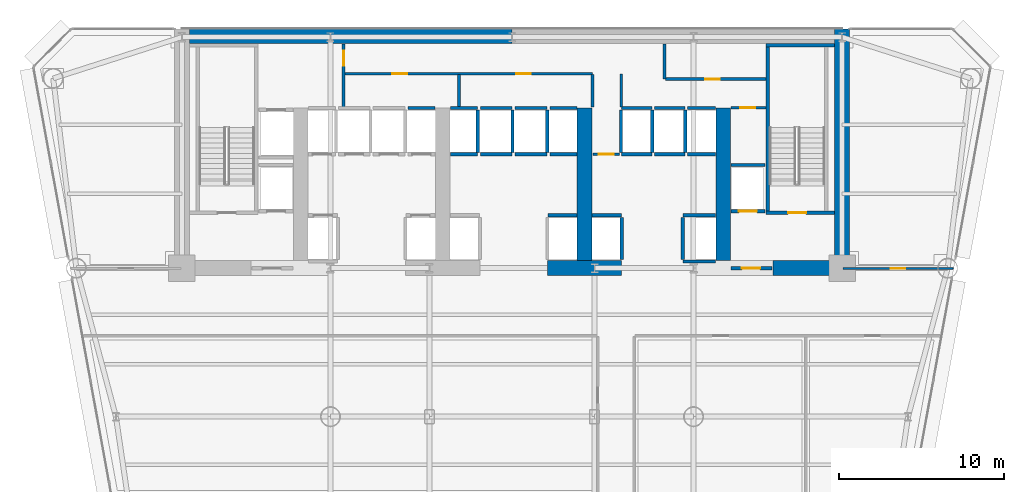
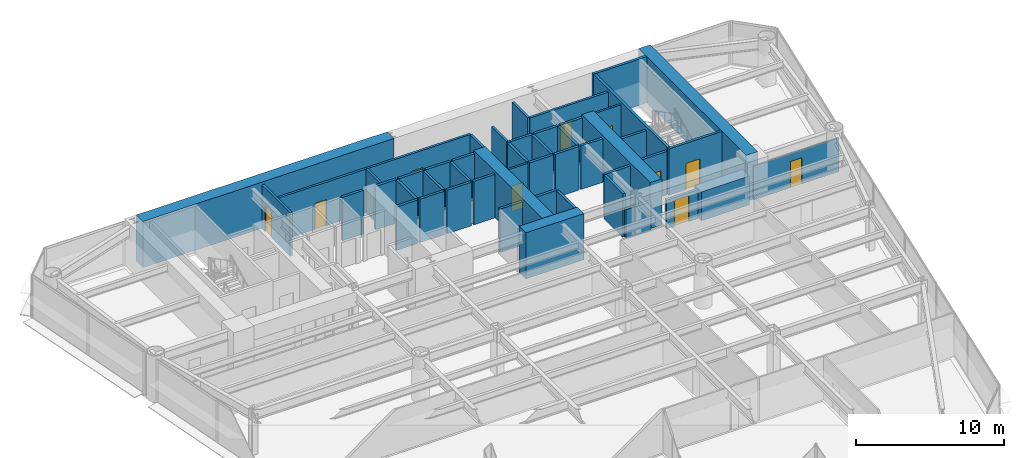
# One storey, part 9 of 14: 49 walls, 10 doors, 10 openings.
"""IFC4 building model written with IfcOpenShell, lengths in metres."""

from ifc_helpers import new_model, si_unit, direction, frame, frame_2d, origin, place, context, subcontext, project, spatial, rectangle, extrude, source, transform, mapped, material, layer, layer_set, type_object, element, fill, save


model = new_model("IFC4")

# Units and contexts
model_context = context("Model", 3, precision=1e-05, world=origin(), true_north=direction((0.0, 1.0)))
body_context = subcontext(model_context, "Body", "Model", "MODEL_VIEW")
ifc_project = project(units=[si_unit("LENGTHUNIT", "METRE"), si_unit("AREAUNIT", "SQUARE_METRE"), si_unit("VOLUMEUNIT", "CUBIC_METRE"), si_unit("PLANEANGLEUNIT", "RADIAN"), si_unit("MASSUNIT", "GRAM", prefix="KILO")], contexts=[model_context])

# Site, building, storey
site_placement = place(None, origin())
site = spatial("IfcSite", under=ifc_project, at=site_placement, CompositionType="ELEMENT")
building_placement = place(site_placement, origin())
building = spatial("IfcBuilding", under=site, at=building_placement, Name="Vaeldorn Concourse Tower", CompositionType="ELEMENT")
storey_placement = place(building_placement, frame((0.0, 0.0, 60.60009765625)))
storey = spatial("IfcBuildingStorey", under=building, at=storey_placement, Name="L15", CompositionType="ELEMENT", Elevation=60.60009765625)

# Walls
ifc_material_1 = material(Name="Concrete C60/75", Category="concrete")
ifc_layer_1 = layer(ifc_material_1, 0.89990234375)
ifc_layer_set_1 = layer_set([ifc_layer_1], Name="Concrete C60/75")
wall_type_1 = type_object("IfcWallType", Name="WL-CORE-900", PredefinedType="SHEAR", material=ifc_layer_set_1)
wall_1_placement = place(storey_placement, frame((14.4541015625, 50.550048828125, 0.0), z_axis=(0.0, 0.0, 1.0), x_axis=(1.0, 0.0, 0.0)))
element("IfcWall", 1, at=wall_1_placement, inside=storey, type_object=wall_type_1, Name="Rear Core Shear Wall L15 N1", PredefinedType="SHEAR", context=body_context, shape_type="SweptSolid", body=[
    extrude(rectangle(XDim=19.5439453125, YDim=0.89990234375, at=frame_2d((9.77197265625, 0.0))), origin(), (0.0, 0.0, 1.0), 3.7998046875),
])
wall_2_placement = place(storey_placement, frame((54.0, 36.5, 0.0), z_axis=(0.0, 0.0, 1.0), x_axis=(0.0, 1.0, 0.0)))
element("IfcWall", 2, at=wall_2_placement, inside=storey, type_object=wall_type_1, Name="Rear Core Shear Wall L15 E1", PredefinedType="SHEAR", context=body_context, shape_type="SweptSolid", body=[
    extrude(rectangle(XDim=14.5, YDim=0.89990234375, at=frame_2d((7.25, 0.0))), origin(), (0.0, 0.0, 1.0), 3.7998046875),
])
wall_3_placement = place(storey_placement, frame((36.14990234375, 36.5, 0.0), z_axis=(0.0, 0.0, 1.0), x_axis=(1.0, 0.0, 0.0)))
element("IfcWall", 3, at=wall_3_placement, inside=storey, type_object=wall_type_1, Name="Rear Core Shear Wall L15 S3", PredefinedType="SHEAR", context=body_context, shape_type="SweptSolid", body=[
    extrude(rectangle(XDim=4.5, YDim=0.89990234375, at=frame_2d((2.25, 0.0))), origin(), (0.0, 0.0, 1.0), 3.7998046875),
])
wall_4_placement = place(storey_placement, frame((49.800048828125, 36.5, 0.0), z_axis=(0.0, 0.0, 1.0), x_axis=(1.0, 0.0, 0.0)))
element("IfcWall", 4, at=wall_4_placement, inside=storey, type_object=wall_type_1, Name="Rear Core Shear Wall L15 S4", PredefinedType="SHEAR", context=body_context, shape_type="SweptSolid", body=[
    extrude(rectangle(XDim=3.72998046875, YDim=0.89990234375, at=frame_2d((1.864990234375, 0.0))), origin(), (0.0, 0.0, 1.0), 2.3798828125),
])
for number, where, z_axis, x_axis, name in (
    (5, (38.39990234375, 36.969970703125, 0.0), (0.0, 0.0, 1.0), (0.0, 1.0, 0.0), "Rear Core Shear Wall L15 M3"),
    (6, (46.800048828125, 36.969970703125, 0.0), (0.0, 0.0, 1.0), (0.0, 1.0, 0.0), "Rear Core Shear Wall L15 M4"),
):
    element("IfcWall", number, at=place(storey_placement, frame(where, z_axis=z_axis, x_axis=x_axis)), inside=storey, type_object=wall_type_1, Name=name, PredefinedType="SHEAR", context=body_context, shape_type="SweptSolid", body=[
        extrude(rectangle(XDim=9.22998046875, YDim=0.89990234375, at=frame_2d((4.614990234375, 0.0))), origin(), (0.0, 0.0, 1.0), 3.7998046875),
    ])

# Wall, opening, door
ifc_material_2 = material(Name="Gypsum Board Partition", Category="gypsum")
ifc_layer_2 = layer(ifc_material_2, 0.1201171875)
ifc_layer_set_2 = layer_set([ifc_layer_2], Name="Gypsum Board Partition")
wall_type_2 = type_object("IfcWallType", Name="WL-PART-120", PredefinedType="PARTITIONING", material=ifc_layer_set_2)
wall_5_placement = place(storey_placement, frame((54.06005859375, 36.47998046875, 0.0), z_axis=(0.0, 0.0, 1.0), x_axis=(1.0, 0.0, 0.0)))
wall_5 = element("IfcWall", 7, at=wall_5_placement, inside=storey, type_object=wall_type_2, Name="Interior Wall PW-L15-NES", PredefinedType="PARTITIONING", context=body_context, shape_type="SweptSolid", body=[
    extrude(rectangle(XDim=6.666259765625, YDim=0.1201171875, at=frame_2d((3.3330078125, 0.0))), origin(), (0.0, 0.0, 1.0), 2.77001953125),
])
opening_1_placement = place(wall_5_placement, frame((2.883056640625, 0.0, 0.0)))
opening_1 = element("IfcOpeningElement", 8, at=opening_1_placement, cuts=wall_5, Name="Opening D-03", PredefinedType="OPENING", context=body_context, shape_type="SweptSolid", body=[
    extrude(rectangle(XDim=0.89990234375, YDim=2.14990234375, at=frame_2d((0.449951171875, 1.074951171875))), frame((0.0, 0.070068359375, 0.0), z_axis=(0.0, -1.0, 0.0), x_axis=(1.0, 0.0, 0.0)), (0.0, 0.0, 1.0), 0.14013671875),
])
ifc_material_3 = material(Name="Acoustic Bronze-Framed Glass Door", Category="glass")
door_type_1 = type_object("IfcDoorType", Name="DR-INT-900", OperationType="NOTDEFINED", PredefinedType="DOOR", material=ifc_material_3)
shared_shape_1 = source(origin(), body_context, "Body", "SweptSolid", [
    extrude(rectangle(XDim=0.89990234375, YDim=2.14990234375, at=frame_2d((0.449951171875, 1.074951171875))), frame((0.0, 0.02490234375, 0.0), z_axis=(0.0, -1.0, 0.0), x_axis=(1.0, 0.0, 0.0)), (0.0, 0.0, 1.0), 0.050048828125),
])
door_1_placement = place(opening_1_placement, origin())
door_1 = element("IfcDoor", 9, at=door_1_placement, inside=storey, type_object=door_type_1, Name="Interior Door DR-L15-NEC", OperationType="SINGLE_SWING_RIGHT", OverallHeight=2.14990234375, OverallWidth=0.89990234375, PredefinedType="DOOR", context=body_context, shape_type="MappedRepresentation", body=[
    mapped(shared_shape_1, transform((0.0, 0.0, 0.0), scale=1.0)),
])
fill(opening_1, door_1)

ifc_layer_3 = layer(ifc_material_2, 0.14990234375)
ifc_layer_set_3 = layer_set([ifc_layer_3], Name="Gypsum Board Partition")
wall_type_3 = type_object("IfcWallType", Name="WL-PART-150", PredefinedType="PARTITIONING", material=ifc_layer_set_3)
wall_6_placement = place(storey_placement, frame((47.280029296875, 46.219970703125, 0.0), z_axis=(0.0, 0.0, 1.0), x_axis=(1.0, 0.0, 0.0)))
wall_6 = element("IfcWall", 10, at=wall_6_placement, inside=storey, type_object=wall_type_3, Name="Interior Wall CW-L15-CRSE-N", PredefinedType="PARTITIONING", context=body_context, shape_type="SweptSolid", body=[
    extrude(rectangle(XDim=2.099853515625, YDim=0.14990234375, at=frame_2d((1.0498046875, 0.0))), origin(), (0.0, 0.0, 1.0), 3.579833984375),
])
opening_2_placement = place(wall_6_placement, frame((0.550048828125, 0.0, 0.0)))
opening_2 = element("IfcOpeningElement", 11, at=opening_2_placement, cuts=wall_6, Name="Opening D-02", PredefinedType="OPENING", context=body_context, shape_type="SweptSolid", body=[
    extrude(rectangle(XDim=0.89990234375, YDim=2.10009765625, at=frame_2d((0.449951171875, 1.050048828125))), frame((0.0, 0.0849609375, 0.0), z_axis=(0.0, -1.0, 0.0), x_axis=(1.0, 0.0, 0.0)), (0.0, 0.0, 1.0), 0.169921875),
])
ifc_material_4 = material(Name="Fire-Rated Timber Leaf", Category="wood")
door_type_2 = type_object("IfcDoorType", Name="DR-FD30-900", OperationType="NOTDEFINED", PredefinedType="DOOR", material=ifc_material_4)
shared_shape_2 = source(origin(), body_context, "Body", "SweptSolid", [
    extrude(rectangle(XDim=0.89990234375, YDim=2.10009765625, at=frame_2d((0.449951171875, 1.050048828125))), frame((0.0, 0.02490234375, 0.0), z_axis=(0.0, -1.0, 0.0), x_axis=(1.0, 0.0, 0.0)), (0.0, 0.0, 1.0), 0.050048828125),
])
door_2_placement = place(opening_2_placement, origin())
door_2 = element("IfcDoor", 12, at=door_2_placement, inside=storey, type_object=door_type_2, Name="Interior Door DR-L15-CRSE", OperationType="SINGLE_SWING_RIGHT", OverallHeight=2.10009765625, OverallWidth=0.89990234375, PredefinedType="DOOR", context=body_context, shape_type="MappedRepresentation", body=[
    mapped(shared_shape_2, transform((0.0, 0.0, 0.0), scale=1.0)),
])
fill(opening_2, door_2)

wall_7_placement = place(storey_placement, frame((38.919921875, 43.39990234375, 0.0), z_axis=(0.0, 0.0, 1.0), x_axis=(1.0, 0.0, 0.0)))
wall_7 = element("IfcWall", 13, at=wall_7_placement, inside=storey, type_object=wall_type_3, Name="Interior Wall CW-L15-CCLINK", PredefinedType="PARTITIONING", context=body_context, shape_type="SweptSolid", body=[
    extrude(rectangle(XDim=1.60009765625, YDim=0.14990234375, at=frame_2d((0.800048828125, 0.0))), origin(), (0.0, 0.0, 1.0), 3.579833984375),
])
opening_3_placement = place(wall_7_placement, frame((0.35009765625, 0.0, 0.0)))
opening_3 = element("IfcOpeningElement", 14, at=opening_3_placement, cuts=wall_7, Name="Opening D-02", PredefinedType="OPENING", context=body_context, shape_type="SweptSolid", body=[
    extrude(rectangle(XDim=0.89990234375, YDim=2.10009765625, at=frame_2d((0.449951171875, 1.050048828125))), frame((0.0, 0.0849609375, 0.0), z_axis=(0.0, -1.0, 0.0), x_axis=(1.0, 0.0, 0.0)), (0.0, 0.0, 1.0), 0.169921875),
])
door_3_placement = place(opening_3_placement, origin())
door_3 = element("IfcDoor", 15, at=door_3_placement, inside=storey, type_object=door_type_2, Name="Interior Door DR-L15-CCLINK", OperationType="SINGLE_SWING_LEFT", OverallHeight=2.10009765625, OverallWidth=0.89990234375, PredefinedType="DOOR", context=body_context, shape_type="MappedRepresentation", body=[
    mapped(shared_shape_2, transform((0.0, 0.0, 0.0), scale=1.0)),
])
fill(opening_3, door_3)

# Wall, openings, doors
ifc_layer_4 = layer(ifc_material_2, 0.179931640625)
ifc_layer_set_4 = layer_set([ifc_layer_4], Name="Gypsum Board Partition")
wall_type_4 = type_object("IfcWallType", Name="WL-PLUMB-180", PredefinedType="PLUMBINGWALL", material=ifc_layer_set_4)
wall_8_placement = place(storey_placement, frame((23.85009765625, 48.280029296875, 0.0), z_axis=(0.0, 0.0, 1.0), x_axis=(1.0, 0.0, 0.0)))
wall_8 = element("IfcWall", 16, at=wall_8_placement, inside=storey, type_object=wall_type_4, Name="Interior Wall CW-L15-NS2W", PredefinedType="PLUMBINGWALL", context=body_context, shape_type="SweptSolid", body=[
    extrude(rectangle(XDim=15.02978515625, YDim=0.179931640625, at=frame_2d((7.514892578125, 0.0))), origin(), (0.0, 0.0, 1.0), 3.579833984375),
])
opening_4_placement = place(wall_8_placement, frame((2.89990234375, 0.0, 0.0)))
opening_4 = element("IfcOpeningElement", 17, at=opening_4_placement, cuts=wall_8, Name="Opening D-03", PredefinedType="OPENING", context=body_context, shape_type="SweptSolid", body=[
    extrude(rectangle(XDim=0.89990234375, YDim=2.14990234375, at=frame_2d((0.449951171875, 1.074951171875))), frame((0.0, 0.10009765625, 0.0), z_axis=(0.0, -1.0, 0.0), x_axis=(1.0, 0.0, 0.0)), (0.0, 0.0, 1.0), 0.199951171875),
])
opening_5_placement = place(wall_8_placement, frame((10.39990234375, 0.0, 0.0)))
opening_5 = element("IfcOpeningElement", 18, at=opening_5_placement, cuts=wall_8, Name="Opening D-03", PredefinedType="OPENING", context=body_context, shape_type="SweptSolid", body=[
    extrude(rectangle(XDim=0.89990234375, YDim=2.14990234375, at=frame_2d((0.449951171875, 1.074951171875))), frame((0.0, 0.10009765625, 0.0), z_axis=(0.0, -1.0, 0.0), x_axis=(1.0, 0.0, 0.0)), (0.0, 0.0, 1.0), 0.199951171875),
])
door_4_placement = place(opening_4_placement, origin())
door_4 = element("IfcDoor", 19, at=door_4_placement, inside=storey, type_object=door_type_1, Name="Interior Door DR-L15-CS2", OperationType="SINGLE_SWING_RIGHT", OverallHeight=2.14990234375, OverallWidth=0.89990234375, PredefinedType="DOOR", context=body_context, shape_type="MappedRepresentation", body=[
    mapped(shared_shape_1, transform((0.0, 0.0, 0.0), scale=1.0)),
])
fill(opening_4, door_4)
door_5_placement = place(opening_5_placement, origin())
door_5 = element("IfcDoor", 20, at=door_5_placement, inside=storey, type_object=door_type_1, Name="Interior Door DR-L15-CS3", OperationType="SINGLE_SWING_LEFT", OverallHeight=2.14990234375, OverallWidth=0.89990234375, PredefinedType="DOOR", context=body_context, shape_type="MappedRepresentation", body=[
    mapped(shared_shape_1, transform((0.0, 0.0, 0.0), scale=1.0)),
])
fill(opening_5, door_5)

# Wall, opening, door
wall_9_placement = place(storey_placement, frame((23.800048828125, 46.280029296875, 0.0), z_axis=(0.0, 0.0, 1.0), x_axis=(0.0, 1.0, 0.0)))
wall_9 = element("IfcWall", 21, at=wall_9_placement, inside=storey, type_object=wall_type_4, Name="Interior Wall CW-L15-SDIV1", PredefinedType="PLUMBINGWALL", context=body_context, shape_type="SweptSolid", body=[
    extrude(rectangle(XDim=3.800048828125, YDim=0.179931640625, at=frame_2d((1.89990234375, 0.0))), origin(), (0.0, 0.0, 1.0), 3.579833984375),
])
opening_6_placement = place(wall_9_placement, frame((2.485107421875, 0.0, 0.0)))
opening_6 = element("IfcOpeningElement", 22, at=opening_6_placement, cuts=wall_9, Name="Opening D-03", PredefinedType="OPENING", context=body_context, shape_type="SweptSolid", body=[
    extrude(rectangle(XDim=0.89990234375, YDim=2.14990234375, at=frame_2d((0.449951171875, 1.074951171875))), frame((0.0, 0.10009765625, 0.0), z_axis=(0.0, -1.0, 0.0), x_axis=(1.0, 0.0, 0.0)), (0.0, 0.0, 1.0), 0.199951171875),
])
door_6_placement = place(opening_6_placement, origin())
door_6 = element("IfcDoor", 23, at=door_6_placement, inside=storey, type_object=door_type_1, Name="Interior Door DR-L15-CS1", OperationType="SINGLE_SWING_LEFT", OverallHeight=2.14990234375, OverallWidth=0.89990234375, PredefinedType="DOOR", context=body_context, shape_type="MappedRepresentation", body=[
    mapped(shared_shape_1, transform((0.0, 0.0, 0.0), scale=1.0)),
])
fill(opening_6, door_6)

# Walls
for number, where, z_axis, x_axis, name in (
    (24, (30.800048828125, 46.280029296875, 0.0), (0.0, 0.0, 1.0), (0.0, 1.0, 0.0), "Interior Wall CW-L15-SDIV2"),
    (25, (38.8798828125, 46.280029296875, 0.0), (0.0, 0.0, 1.0), (0.0, 1.0, 0.0), "Interior Wall CW-L15-SDIV4"),
):
    element("IfcWall", number, at=place(storey_placement, frame(where, z_axis=z_axis, x_axis=x_axis)), inside=storey, type_object=wall_type_4, Name=name, PredefinedType="PLUMBINGWALL", context=body_context, shape_type="SweptSolid", body=[
        extrude(rectangle(XDim=1.93994140625, YDim=0.179931640625, at=frame_2d((0.969970703125, 0.0))), origin(), (0.0, 0.0, 1.0), 3.579833984375),
    ])
wall_10_placement = place(storey_placement, frame((40.6201171875, 46.280029296875, 0.0), z_axis=(0.0, 0.0, 1.0), x_axis=(0.0, 1.0, 0.0)))
element("IfcWall", 26, at=wall_10_placement, inside=storey, type_object=wall_type_4, Name="Interior Wall CW-L15-SDIV5", PredefinedType="PLUMBINGWALL", context=body_context, shape_type="SweptSolid", body=[
    extrude(rectangle(XDim=2.0, YDim=0.179931640625, at=frame_2d((1.0, 0.0))), origin(), (0.0, 0.0, 1.0), 3.579833984375),
])
wall_11_placement = place(storey_placement, frame((43.25, 47.949951171875, 0.0), z_axis=(0.0, 0.0, 1.0), x_axis=(0.0, 1.0, 0.0)))
element("IfcWall", 27, at=wall_11_placement, inside=storey, type_object=wall_type_4, Name="Interior Wall CW-L15-SDIV6", PredefinedType="PLUMBINGWALL", context=body_context, shape_type="SweptSolid", body=[
    extrude(rectangle(XDim=2.130126953125, YDim=0.179931640625, at=frame_2d((1.06494140625, 0.0))), origin(), (0.0, 0.0, 1.0), 3.579833984375),
])

# Wall, opening, door
wall_12_placement = place(storey_placement, frame((43.300048828125, 47.949951171875, 0.0), z_axis=(0.0, 0.0, 1.0), x_axis=(1.0, 0.0, 0.0)))
wall_12 = element("IfcWall", 28, at=wall_12_placement, inside=storey, type_object=wall_type_4, Name="Interior Wall CW-L15-NS2EE", PredefinedType="PLUMBINGWALL", context=body_context, shape_type="SweptSolid", body=[
    extrude(rectangle(XDim=6.079833984375, YDim=0.179931640625, at=frame_2d((3.0400390625, 0.0))), origin(), (0.0, 0.0, 1.0), 3.579833984375),
])
opening_7_placement = place(wall_12_placement, frame((2.39990234375, 0.0, 0.0)))
opening_7 = element("IfcOpeningElement", 29, at=opening_7_placement, cuts=wall_12, Name="Opening D-03", PredefinedType="OPENING", context=body_context, shape_type="SweptSolid", body=[
    extrude(rectangle(XDim=0.89990234375, YDim=2.14990234375, at=frame_2d((0.449951171875, 1.074951171875))), frame((0.0, 0.10009765625, 0.0), z_axis=(0.0, -1.0, 0.0), x_axis=(1.0, 0.0, 0.0)), (0.0, 0.0, 1.0), 0.199951171875),
])
door_7_placement = place(opening_7_placement, origin())
door_7 = element("IfcDoor", 30, at=door_7_placement, inside=storey, type_object=door_type_1, Name="Interior Door DR-L15-CS5", OperationType="SINGLE_SWING_RIGHT", OverallHeight=2.14990234375, OverallWidth=0.89990234375, PredefinedType="DOOR", context=body_context, shape_type="MappedRepresentation", body=[
    mapped(shared_shape_1, transform((0.0, 0.0, 0.0), scale=1.0)),
])
fill(opening_7, door_7)

ifc_material_5 = material(Name="Concrete C50/60", Category="concrete")
ifc_layer_5 = layer(ifc_material_5, 0.199951171875)
ifc_layer_set_5 = layer_set([ifc_layer_5], Name="Concrete C50/60")
wall_type_5 = type_object("IfcWallType", Name="WL-SHAFT-200", PredefinedType="SOLIDWALL", material=ifc_layer_set_5)
wall_13_placement = place(storey_placement, frame((49.39990234375, 39.85009765625, 0.0), z_axis=(0.0, 0.0, 1.0), x_axis=(1.0, 0.0, 0.0)))
wall_13 = element("IfcWall", 31, at=wall_13_placement, inside=storey, type_object=wall_type_5, Name="Stair Shaft Wall CW-L15-ST-2-S", PredefinedType="SOLIDWALL", context=body_context, shape_type="SweptSolid", body=[
    extrude(rectangle(XDim=4.150146484375, YDim=0.199951171875, at=frame_2d((2.0751953125, 0.0))), origin(), (0.0, 0.0, 1.0), 3.7998046875),
])
opening_8_placement = place(wall_13_placement, frame((1.324951171875, 0.0, 0.0)))
opening_8 = element("IfcOpeningElement", 32, at=opening_8_placement, cuts=wall_13, Name="Opening D-01", PredefinedType="OPENING", context=body_context, shape_type="SweptSolid", body=[
    extrude(rectangle(XDim=1.10009765625, YDim=2.14990234375, at=frame_2d((0.550048828125, 1.074951171875))), frame((0.0, 0.10986328125, 0.0), z_axis=(0.0, -1.0, 0.0), x_axis=(1.0, 0.0, 0.0)), (0.0, 0.0, 1.0), 0.219970703125),
])
ifc_material_6 = material(Name="Fire-Rated Timber and Steel Leaf", Category="steel")
door_type_3 = type_object("IfcDoorType", Name="DR-FD60-1100", OperationType="NOTDEFINED", PredefinedType="DOOR", material=ifc_material_6)
shared_shape_3 = source(origin(), body_context, "Body", "SweptSolid", [
    extrude(rectangle(XDim=1.10009765625, YDim=2.14990234375, at=frame_2d((0.550048828125, 1.074951171875))), frame((0.0, 0.02490234375, 0.0), z_axis=(0.0, -1.0, 0.0), x_axis=(1.0, 0.0, 0.0)), (0.0, 0.0, 1.0), 0.050048828125),
])
door_8_placement = place(opening_8_placement, origin())
door_8 = element("IfcDoor", 33, at=door_8_placement, inside=storey, type_object=door_type_3, Name="Interior Door DR-L15-ST-2", OperationType="SINGLE_SWING_RIGHT", OverallHeight=2.14990234375, OverallWidth=1.10009765625, PredefinedType="DOOR", context=body_context, shape_type="MappedRepresentation", body=[
    mapped(shared_shape_3, transform((0.0, 0.0, 0.0), scale=1.0)),
])
fill(opening_8, door_8)

# Walls
wall_14_placement = place(storey_placement, frame((49.39990234375, 50.0, 0.0), z_axis=(0.0, 0.0, 1.0), x_axis=(1.0, 0.0, 0.0)))
element("IfcWall", 34, at=wall_14_placement, inside=storey, type_object=wall_type_5, Name="Stair Shaft Wall CW-L15-ST-2-N", PredefinedType="SOLIDWALL", context=body_context, shape_type="SweptSolid", body=[
    extrude(rectangle(XDim=4.150146484375, YDim=0.199951171875, at=frame_2d((2.0751953125, 0.0))), origin(), (0.0, 0.0, 1.0), 3.7998046875),
])
wall_15_placement = place(storey_placement, frame((49.5, 39.9599609375, 0.0), z_axis=(0.0, 0.0, 1.0), x_axis=(0.0, 1.0, 0.0)))
element("IfcWall", 35, at=wall_15_placement, inside=storey, type_object=wall_type_5, Name="Stair Shaft Wall CW-L15-ST-2-W", PredefinedType="SOLIDWALL", context=body_context, shape_type="SweptSolid", body=[
    extrude(rectangle(XDim=9.929931640625, YDim=0.199951171875, at=frame_2d((4.96484375, 0.0))), origin(), (0.0, 0.0, 1.0), 3.7998046875),
])

# Wall, opening, door
wall_16_placement = place(storey_placement, frame((47.280029296875, 36.5, 0.0), z_axis=(0.0, 0.0, 1.0), x_axis=(1.0, 0.0, 0.0)))
wall_16 = element("IfcWall", 36, at=wall_16_placement, inside=storey, type_object=wall_type_5, Name="Interior Wall CW-L15-FF2S", PredefinedType="SOLIDWALL", context=body_context, shape_type="SweptSolid", body=[
    extrude(rectangle(XDim=2.469970703125, YDim=0.199951171875, at=frame_2d((1.23486328125, 0.0))), origin(), (0.0, 0.0, 1.0), 2.369873046875),
])
opening_9_placement = place(wall_16_placement, frame((0.64990234375, 0.0, 0.0)))
opening_9 = element("IfcOpeningElement", 37, at=opening_9_placement, cuts=wall_16, Name="Opening D-01", PredefinedType="OPENING", context=body_context, shape_type="SweptSolid", body=[
    extrude(rectangle(XDim=1.10009765625, YDim=2.14990234375, at=frame_2d((0.550048828125, 1.074951171875))), frame((0.0, 0.10986328125, 0.0), z_axis=(0.0, -1.0, 0.0), x_axis=(1.0, 0.0, 0.0)), (0.0, 0.0, 1.0), 0.219970703125),
])
door_9_placement = place(opening_9_placement, origin())
door_9 = element("IfcDoor", 38, at=door_9_placement, inside=storey, type_object=door_type_3, Name="Interior Door DR-L15-FF2W", OperationType="SINGLE_SWING_LEFT", OverallHeight=2.14990234375, OverallWidth=1.10009765625, PredefinedType="DOOR", context=body_context, shape_type="MappedRepresentation", body=[
    mapped(shared_shape_3, transform((0.0, 0.0, 0.0), scale=1.0)),
])
fill(opening_9, door_9)

# Walls
wall_17_placement = place(storey_placement, frame((27.68994140625, 46.199951171875, 0.0), z_axis=(0.0, 0.0, 1.0), x_axis=(1.0, 0.0, 0.0)))
element("IfcWall", 39, at=wall_17_placement, inside=storey, type_object=wall_type_5, Name="Interior Wall CW-L15-LFB-LF-06", PredefinedType="SOLIDWALL", context=body_context, shape_type="SweptSolid", body=[
    extrude(rectangle(XDim=1.650146484375, YDim=0.199951171875, at=frame_2d((0.8251953125, 0.0))), origin(), (0.0, 0.0, 1.0), 3.579833984375),
])
wall_18_placement = place(storey_placement, frame((36.169921875, 39.699951171875, 0.0), z_axis=(0.0, 0.0, 1.0), x_axis=(1.0, 0.0, 0.0)))
element("IfcWall", 40, at=wall_18_placement, inside=storey, type_object=wall_type_5, Name="Interior Wall CW-L15-LF-LF-08", PredefinedType="SOLIDWALL", context=body_context, shape_type="SweptSolid", body=[
    extrude(rectangle(XDim=1.77001953125, YDim=0.199951171875, at=frame_2d((0.885009765625, 0.0))), origin(), (0.0, 0.0, 1.0), 3.579833984375),
])
for number, where, z_axis, x_axis, name in (
    (41, (30.260009765625, 43.39990234375, 0.0), (0.0, 0.0, 1.0), (1.0, 0.0, 0.0), "Interior Wall CW-L15-LF-LF-09"),
    (42, (30.260009765625, 46.199951171875, 0.0), (0.0, 0.0, 1.0), (1.0, 0.0, 0.0), "Interior Wall CW-L15-LFB-LF-09"),
):
    element("IfcWall", number, at=place(storey_placement, frame(where, z_axis=z_axis, x_axis=x_axis)), inside=storey, type_object=wall_type_5, Name=name, PredefinedType="SOLIDWALL", context=body_context, shape_type="SweptSolid", body=[
        extrude(rectangle(XDim=1.64990234375, YDim=0.199951171875, at=frame_2d((0.824951171875, 0.0))), origin(), (0.0, 0.0, 1.0), 3.579833984375),
    ])
wall_19_placement = place(storey_placement, frame((31.929931640625, 43.52001953125, 0.0), z_axis=(0.0, 0.0, 1.0), x_axis=(0.0, 1.0, 0.0)))
element("IfcWall", 43, at=wall_19_placement, inside=storey, type_object=wall_type_5, Name="Interior Wall CW-L15-LFE-LF-09", PredefinedType="SOLIDWALL", context=body_context, shape_type="SweptSolid", body=[
    extrude(rectangle(XDim=2.56005859375, YDim=0.199951171875, at=frame_2d((1.280029296875, 0.0))), origin(), (0.0, 0.0, 1.0), 3.579833984375),
])
for number, where, z_axis, x_axis, name in (
    (44, (32.090087890625, 43.39990234375, 0.0), (0.0, 0.0, 1.0), (1.0, 0.0, 0.0), "Interior Wall CW-L15-LF-LF-10"),
    (45, (32.090087890625, 46.199951171875, 0.0), (0.0, 0.0, 1.0), (1.0, 0.0, 0.0), "Interior Wall CW-L15-LFB-LF-10"),
):
    element("IfcWall", number, at=place(storey_placement, frame(where, z_axis=z_axis, x_axis=x_axis)), inside=storey, type_object=wall_type_5, Name=name, PredefinedType="SOLIDWALL", context=body_context, shape_type="SweptSolid", body=[
        extrude(rectangle(XDim=1.919921875, YDim=0.199951171875, at=frame_2d((0.9599609375, 0.0))), origin(), (0.0, 0.0, 1.0), 3.579833984375),
    ])
wall_20_placement = place(storey_placement, frame((34.030029296875, 43.52001953125, 0.0), z_axis=(0.0, 0.0, 1.0), x_axis=(0.0, 1.0, 0.0)))
element("IfcWall", 46, at=wall_20_placement, inside=storey, type_object=wall_type_5, Name="Interior Wall CW-L15-LFE-LF-10", PredefinedType="SOLIDWALL", context=body_context, shape_type="SweptSolid", body=[
    extrude(rectangle(XDim=2.56005859375, YDim=0.199951171875, at=frame_2d((1.280029296875, 0.0))), origin(), (0.0, 0.0, 1.0), 3.579833984375),
])
for number, where, z_axis, x_axis, name in (
    (47, (34.18994140625, 43.39990234375, 0.0), (0.0, 0.0, 1.0), (1.0, 0.0, 0.0), "Interior Wall CW-L15-LF-LF-11"),
    (48, (34.18994140625, 46.199951171875, 0.0), (0.0, 0.0, 1.0), (1.0, 0.0, 0.0), "Interior Wall CW-L15-LFB-LF-11"),
):
    element("IfcWall", number, at=place(storey_placement, frame(where, z_axis=z_axis, x_axis=x_axis)), inside=storey, type_object=wall_type_5, Name=name, PredefinedType="SOLIDWALL", context=body_context, shape_type="SweptSolid", body=[
        extrude(rectangle(XDim=1.920166015625, YDim=0.199951171875, at=frame_2d((0.9599609375, 0.0))), origin(), (0.0, 0.0, 1.0), 3.579833984375),
    ])
wall_21_placement = place(storey_placement, frame((36.1298828125, 43.52001953125, 0.0), z_axis=(0.0, 0.0, 1.0), x_axis=(0.0, 1.0, 0.0)))
element("IfcWall", 49, at=wall_21_placement, inside=storey, type_object=wall_type_5, Name="Interior Wall CW-L15-LFE-LF-11", PredefinedType="SOLIDWALL", context=body_context, shape_type="SweptSolid", body=[
    extrude(rectangle(XDim=2.56005859375, YDim=0.199951171875, at=frame_2d((1.280029296875, 0.0))), origin(), (0.0, 0.0, 1.0), 3.579833984375),
])
for number, where, z_axis, x_axis, name in (
    (50, (36.2900390625, 43.39990234375, 0.0), (0.0, 0.0, 1.0), (1.0, 0.0, 0.0), "Interior Wall CW-L15-LF-LF-12"),
    (51, (36.2900390625, 46.199951171875, 0.0), (0.0, 0.0, 1.0), (1.0, 0.0, 0.0), "Interior Wall CW-L15-LFB-LF-12"),
):
    element("IfcWall", number, at=place(storey_placement, frame(where, z_axis=z_axis, x_axis=x_axis)), inside=storey, type_object=wall_type_5, Name=name, PredefinedType="SOLIDWALL", context=body_context, shape_type="SweptSolid", body=[
        extrude(rectangle(XDim=1.64990234375, YDim=0.199951171875, at=frame_2d((0.824951171875, 0.0))), origin(), (0.0, 0.0, 1.0), 3.579833984375),
    ])
wall_22_placement = place(storey_placement, frame((38.860107421875, 39.699951171875, 0.0), z_axis=(0.0, 0.0, 1.0), x_axis=(1.0, 0.0, 0.0)))
element("IfcWall", 52, at=wall_22_placement, inside=storey, type_object=wall_type_5, Name="Interior Wall CW-L15-LF-LF-13", PredefinedType="SOLIDWALL", context=body_context, shape_type="SweptSolid", body=[
    extrude(rectangle(XDim=1.769775390625, YDim=0.199951171875, at=frame_2d((0.884765625, 0.0))), origin(), (0.0, 0.0, 1.0), 3.579833984375),
])
wall_23_placement = place(storey_placement, frame((40.64990234375, 37.02001953125, 0.0), z_axis=(0.0, 0.0, 1.0), x_axis=(0.0, 1.0, 0.0)))
element("IfcWall", 53, at=wall_23_placement, inside=storey, type_object=wall_type_5, Name="Interior Wall CW-L15-LFE-LF-13", PredefinedType="SOLIDWALL", context=body_context, shape_type="SweptSolid", body=[
    extrude(rectangle(XDim=2.56005859375, YDim=0.199951171875, at=frame_2d((1.280029296875, 0.0))), origin(), (0.0, 0.0, 1.0), 3.579833984375),
])
wall_24_placement = place(storey_placement, frame((44.3701171875, 39.699951171875, 0.0), z_axis=(0.0, 0.0, 1.0), x_axis=(1.0, 0.0, 0.0)))
element("IfcWall", 54, at=wall_24_placement, inside=storey, type_object=wall_type_5, Name="Interior Wall CW-L15-LF-LF-14", PredefinedType="SOLIDWALL", context=body_context, shape_type="SweptSolid", body=[
    extrude(rectangle(XDim=1.9599609375, YDim=0.199951171875, at=frame_2d((0.97998046875, 0.0))), origin(), (0.0, 0.0, 1.0), 3.579833984375),
])
wall_25_placement = place(storey_placement, frame((44.3701171875, 36.89990234375, 0.0), z_axis=(0.0, 0.0, 1.0), x_axis=(1.0, 0.0, 0.0)))
element("IfcWall", 55, at=wall_25_placement, inside=storey, type_object=wall_type_5, Name="Interior Wall CW-L15-LFB-LF-14", PredefinedType="SOLIDWALL", context=body_context, shape_type="SweptSolid", body=[
    extrude(rectangle(XDim=1.9599609375, YDim=0.199951171875, at=frame_2d((0.97998046875, 0.0))), origin(), (0.0, 0.0, 1.0), 2.369873046875),
])
wall_26_placement = place(storey_placement, frame((44.35009765625, 37.02001953125, 0.0), z_axis=(0.0, 0.0, 1.0), x_axis=(0.0, 1.0, 0.0)))
element("IfcWall", 56, at=wall_26_placement, inside=storey, type_object=wall_type_5, Name="Interior Wall CW-L15-LFW-LF-14", PredefinedType="SOLIDWALL", context=body_context, shape_type="SweptSolid", body=[
    extrude(rectangle(XDim=2.56005859375, YDim=0.199951171875, at=frame_2d((1.280029296875, 0.0))), origin(), (0.0, 0.0, 1.0), 3.579833984375),
])
for number, where, z_axis, x_axis, name in (
    (57, (40.6201171875, 43.39990234375, 0.0), (0.0, 0.0, 1.0), (1.0, 0.0, 0.0), "Interior Wall CW-L15-LF-LF-15"),
    (58, (40.6201171875, 46.199951171875, 0.0), (0.0, 0.0, 1.0), (1.0, 0.0, 0.0), "Interior Wall CW-L15-LFB-LF-15"),
):
    element("IfcWall", number, at=place(storey_placement, frame(where, z_axis=z_axis, x_axis=x_axis)), inside=storey, type_object=wall_type_5, Name=name, PredefinedType="SOLIDWALL", context=body_context, shape_type="SweptSolid", body=[
        extrude(rectangle(XDim=1.85986328125, YDim=0.199951171875, at=frame_2d((0.929931640625, 0.0))), origin(), (0.0, 0.0, 1.0), 3.579833984375),
    ])
for number, where, z_axis, x_axis, name in (
    (59, (40.60009765625, 43.52001953125, 0.0), (0.0, 0.0, 1.0), (0.0, 1.0, 0.0), "Interior Wall CW-L15-LFW-LF-15"),
    (60, (42.5, 43.52001953125, 0.0), (0.0, 0.0, 1.0), (0.0, 1.0, 0.0), "Interior Wall CW-L15-LFE-LF-15"),
):
    element("IfcWall", number, at=place(storey_placement, frame(where, z_axis=z_axis, x_axis=x_axis)), inside=storey, type_object=wall_type_5, Name=name, PredefinedType="SOLIDWALL", context=body_context, shape_type="SweptSolid", body=[
        extrude(rectangle(XDim=2.56005859375, YDim=0.199951171875, at=frame_2d((1.280029296875, 0.0))), origin(), (0.0, 0.0, 1.0), 3.579833984375),
    ])
for number, where, z_axis, x_axis, name in (
    (61, (42.6201171875, 43.39990234375, 0.0), (0.0, 0.0, 1.0), (1.0, 0.0, 0.0), "Interior Wall CW-L15-LF-LF-16"),
    (62, (42.6201171875, 46.199951171875, 0.0), (0.0, 0.0, 1.0), (1.0, 0.0, 0.0), "Interior Wall CW-L15-LFB-LF-16"),
):
    element("IfcWall", number, at=place(storey_placement, frame(where, z_axis=z_axis, x_axis=x_axis)), inside=storey, type_object=wall_type_5, Name=name, PredefinedType="SOLIDWALL", context=body_context, shape_type="SweptSolid", body=[
        extrude(rectangle(XDim=1.85986328125, YDim=0.199951171875, at=frame_2d((0.929931640625, 0.0))), origin(), (0.0, 0.0, 1.0), 3.579833984375),
    ])
wall_27_placement = place(storey_placement, frame((44.5, 43.52001953125, 0.0), z_axis=(0.0, 0.0, 1.0), x_axis=(0.0, 1.0, 0.0)))
element("IfcWall", 63, at=wall_27_placement, inside=storey, type_object=wall_type_5, Name="Interior Wall CW-L15-LFE-LF-16", PredefinedType="SOLIDWALL", context=body_context, shape_type="SweptSolid", body=[
    extrude(rectangle(XDim=2.56005859375, YDim=0.199951171875, at=frame_2d((1.280029296875, 0.0))), origin(), (0.0, 0.0, 1.0), 3.579833984375),
])
for number, where, z_axis, x_axis, name in (
    (64, (44.6201171875, 43.39990234375, 0.0), (0.0, 0.0, 1.0), (1.0, 0.0, 0.0), "Interior Wall CW-L15-LF-LF-17"),
    (65, (44.6201171875, 46.199951171875, 0.0), (0.0, 0.0, 1.0), (1.0, 0.0, 0.0), "Interior Wall CW-L15-LFB-LF-17"),
):
    element("IfcWall", number, at=place(storey_placement, frame(where, z_axis=z_axis, x_axis=x_axis)), inside=storey, type_object=wall_type_5, Name=name, PredefinedType="SOLIDWALL", context=body_context, shape_type="SweptSolid", body=[
        extrude(rectangle(XDim=1.719970703125, YDim=0.199951171875, at=frame_2d((0.85986328125, 0.0))), origin(), (0.0, 0.0, 1.0), 3.579833984375),
    ])

# Wall, opening, door
wall_28_placement = place(storey_placement, frame((47.260009765625, 39.949951171875, 0.0), z_axis=(0.0, 0.0, 1.0), x_axis=(1.0, 0.0, 0.0)))
wall_28 = element("IfcWall", 66, at=wall_28_placement, inside=storey, type_object=wall_type_5, Name="Interior Wall CW-L15-LF-LF-FF2", PredefinedType="SOLIDWALL", context=body_context, shape_type="SweptSolid", body=[
    extrude(rectangle(XDim=2.070068359375, YDim=0.199951171875, at=frame_2d((1.03515625, 0.0))), origin(), (0.0, 0.0, 1.0), 3.579833984375),
])
opening_10_placement = place(wall_28_placement, frame((0.485107421875, 0.0, 0.0)))
opening_10 = element("IfcOpeningElement", 67, at=opening_10_placement, cuts=wall_28, Name="Opening LD-1", PredefinedType="OPENING", context=body_context, shape_type="SweptSolid", body=[
    extrude(rectangle(XDim=1.10009765625, YDim=2.14990234375, at=frame_2d((0.550048828125, 1.074951171875))), frame((0.0, 0.10986328125, 0.0), z_axis=(0.0, -1.0, 0.0), x_axis=(1.0, 0.0, 0.0)), (0.0, 0.0, 1.0), 0.219970703125),
])
ifc_material_7 = material(Name="Anodised Bronze Aluminium", Category="aluminium")
door_type_4 = type_object("IfcDoorType", Name="DR-LIFT-SLIDE-1100", OperationType="DOUBLE_DOOR_SLIDING", PredefinedType="DOOR", material=ifc_material_7)
door_10_placement = place(opening_10_placement, origin())
door_10 = element("IfcDoor", 68, at=door_10_placement, inside=storey, type_object=door_type_4, Name="Lift Landing Door LD-L15-LF-FF2", OperationType="DOUBLE_DOOR_SLIDING", OverallHeight=2.14990234375, OverallWidth=1.10009765625, PredefinedType="DOOR", context=body_context, shape_type="MappedRepresentation", body=[
    mapped(shared_shape_3, transform((0.0, 0.0, 0.0), scale=1.0)),
])
fill(opening_10, door_10)

# Wall
wall_29_placement = place(storey_placement, frame((47.260009765625, 42.75, 0.0), z_axis=(0.0, 0.0, 1.0), x_axis=(1.0, 0.0, 0.0)))
element("IfcWall", 69, at=wall_29_placement, inside=storey, type_object=wall_type_5, Name="Interior Wall CW-L15-LFB-LF-FF2", PredefinedType="SOLIDWALL", context=body_context, shape_type="SweptSolid", body=[
    extrude(rectangle(XDim=2.070068359375, YDim=0.199951171875, at=frame_2d((1.03515625, 0.0))), origin(), (0.0, 0.0, 1.0), 3.579833984375),
])

save(model, "model.ifc")
